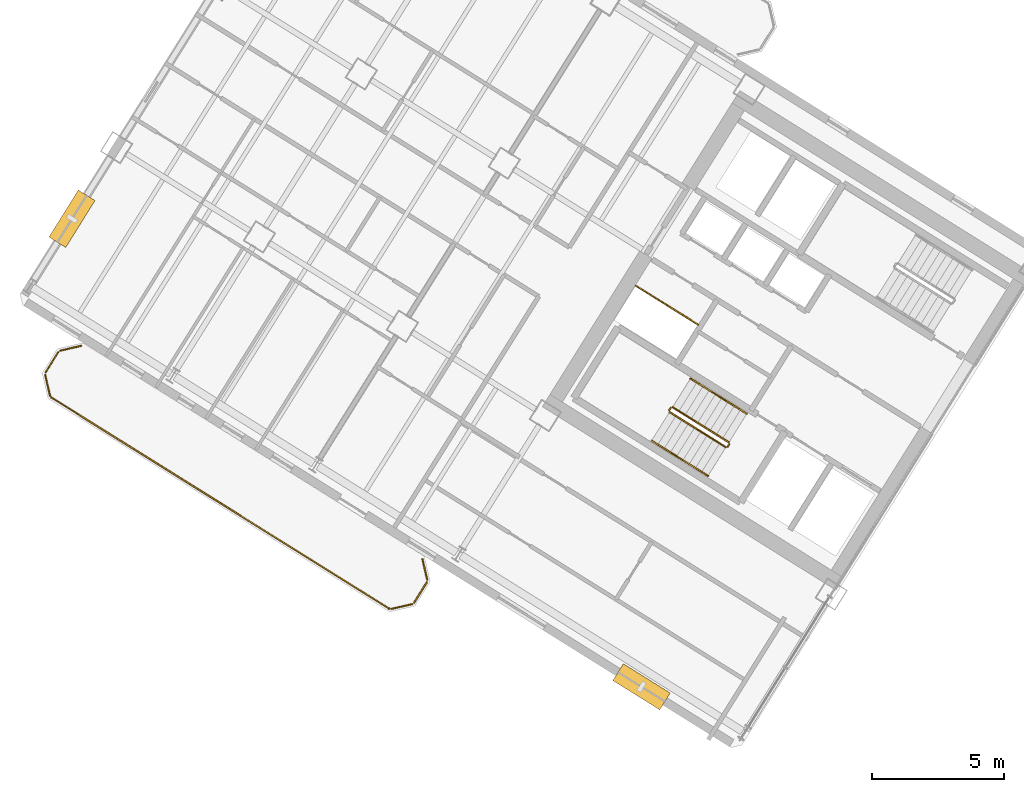
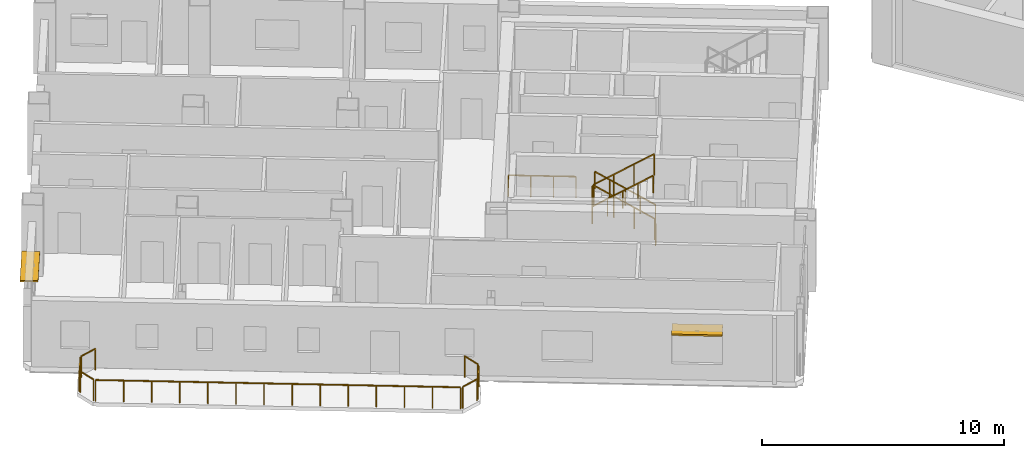
# One storey, part 16 of 19: 16 railings, 2 shading devices.
"""IFC4 building model written with IfcOpenShell, lengths in metres."""

from ifc_helpers import new_model, si_unit, direction, frame, origin, origin_2d, place, context, subcontext, project, spatial, rectangle, extrude, source, transform, mapped, material, layer, layer_set, type_object, element, save


model = new_model("IFC4")

# Units and contexts
model_context = context("Model", 3, precision=1e-05, world=origin(), true_north=direction((0.0, 1.0)))
body_context = subcontext(model_context, "Body", "Model", "MODEL_VIEW")
ifc_project = project(units=[si_unit("LENGTHUNIT", "METRE"), si_unit("AREAUNIT", "SQUARE_METRE"), si_unit("VOLUMEUNIT", "CUBIC_METRE"), si_unit("PLANEANGLEUNIT", "RADIAN"), si_unit("MASSUNIT", "GRAM", prefix="KILO")], contexts=[model_context])

# Site, building, storey
site_placement = place(None, origin())
site = spatial("IfcSite", under=ifc_project, at=site_placement, CompositionType="ELEMENT")
building_placement = place(site_placement, origin())
building = spatial("IfcBuilding", under=site, at=building_placement, Name="Tlacorven Tower", CompositionType="ELEMENT")
storey_placement = place(building_placement, frame((0.0, 0.0, 147.89990234375)))
storey = spatial("IfcBuildingStorey", under=building, at=storey_placement, Name="L37", CompositionType="ELEMENT", Elevation=147.89990234375)

# Railings
ifc_material_1 = material(Name="Aluminium and painted steel balustrade", Category="steel")
railing_type_1 = type_object("IfcRailingType", Name="RL-GRD-1100", PredefinedType="GUARDRAIL", material=ifc_material_1)
shared_shape_1 = source(origin(), body_context, "Body", "SweptSolid", [
    extrude(rectangle(XDim=0.048095703125, YDim=0.048095703125, at=origin_2d()), frame((0.0, 0.0, 1.076171875), z_axis=(-0.848091358275, 0.529850024081, 0.0), x_axis=(-0.529850024081, -0.848091358275, 0.0)), (0.0, 0.0, 1.0), 2.800048828125),
    extrude(rectangle(XDim=0.0419921875, YDim=0.0419921875, at=origin_2d()), origin(), (0.0, 0.0, 1.0), 1.052001953125),
    extrude(rectangle(XDim=0.0419921875, YDim=0.0419921875, at=origin_2d()), frame((-0.79150390625, 0.49462890625, 0.0)), (0.0, 0.0, 1.0), 1.052001953125),
    extrude(rectangle(XDim=0.0419921875, YDim=0.0419921875, at=origin_2d()), frame((-1.583251953125, 0.989013671875, 0.0)), (0.0, 0.0, 1.0), 1.052001953125),
    extrude(rectangle(XDim=0.0419921875, YDim=0.0419921875, at=origin_2d()), frame((-2.374755859375, 1.483642578125, 0.0)), (0.0, 0.0, 1.0), 1.052001953125),
])
railing_1_placement = place(storey_placement, frame((27.9912109375, 22.32080078125, 0.0)))
element("IfcRailing", 1, at=railing_1_placement, inside=storey, type_object=railing_type_1, Name="L37 Electrical Riser W Shaft Guard 1", PredefinedType="GUARDRAIL", context=body_context, shape_type="MappedRepresentation", body=[
    mapped(shared_shape_1, transform((0.0, 0.0, 0.0), scale=1.0)),
])
railing_type_2 = type_object("IfcRailingType", Name="RL-BAL-1100", PredefinedType="BALUSTRADE", material=ifc_material_1)
shared_shape_2 = source(origin(), body_context, "Body", "SweptSolid", [
    extrude(rectangle(XDim=0.048095703125, YDim=0.048095703125, at=origin_2d()), frame((0.0, 0.0, 1.076171875), z_axis=(0.225058334816, -0.974345290916, 0.0), x_axis=(0.974345290916, 0.225058334816, 0.0)), (0.0, 0.0, 1.0), 0.80712890625),
    extrude(rectangle(XDim=0.0419921875, YDim=0.0419921875, at=origin_2d()), origin(), (0.0, 0.0, 1.0), 1.052001953125),
    extrude(rectangle(XDim=0.0419921875, YDim=0.0419921875, at=origin_2d()), frame((0.181640625, -0.786376953125, 0.0)), (0.0, 0.0, 1.0), 1.052001953125),
])
railing_2_placement = place(storey_placement, frame((17.5244140625, 13.413330078125, 0.0)))
element("IfcRailing", 2, at=railing_2_placement, inside=storey, type_object=railing_type_2, Name="BAL-L37-W-OUT Guard Railing 1", PredefinedType="BALUSTRADE", context=body_context, shape_type="MappedRepresentation", body=[
    mapped(shared_shape_2, transform((0.0, 0.0, 0.0), scale=1.0)),
])
shared_shape_3 = source(origin(), body_context, "Body", "SweptSolid", [
    extrude(rectangle(XDim=0.048095703125, YDim=0.048095703125, at=origin_2d()), frame((0.0, 0.0, 1.076171875), z_axis=(-0.52987865805, -0.848073468364, 0.0), x_axis=(0.848073468364, -0.52987865805, 0.0)), (0.0, 0.0, 1.0), 0.912353515625),
    extrude(rectangle(XDim=0.0419921875, YDim=0.0419921875, at=origin_2d()), origin(), (0.0, 0.0, 1.0), 1.052001953125),
    extrude(rectangle(XDim=0.0419921875, YDim=0.0419921875, at=origin_2d()), frame((-0.4833984375, -0.773681640625, 0.0)), (0.0, 0.0, 1.0), 1.052001953125),
])
railing_3_placement = place(storey_placement, frame((17.690673828125, 12.535888671875, 0.0)))
element("IfcRailing", 3, at=railing_3_placement, inside=storey, type_object=railing_type_2, Name="BAL-L37-W-OUT Guard Railing 2", PredefinedType="BALUSTRADE", context=body_context, shape_type="MappedRepresentation", body=[
    mapped(shared_shape_3, transform((0.0, 0.0, 0.0), scale=1.0)),
])
shared_shape_4 = source(origin(), body_context, "Body", "SweptSolid", [
    extrude(rectangle(XDim=0.048095703125, YDim=0.048095703125, at=origin_2d()), frame((0.0, 0.0, 1.076171875), z_axis=(-0.974411586182, -0.224771129628, 0.0), x_axis=(0.224771129628, -0.974411586182, 0.0)), (0.0, 0.0, 1.0), 0.80712890625),
    extrude(rectangle(XDim=0.0419921875, YDim=0.0419921875, at=origin_2d()), origin(), (0.0, 0.0, 1.0), 1.052001953125),
    extrude(rectangle(XDim=0.0419921875, YDim=0.0419921875, at=origin_2d()), frame((-0.786376953125, -0.181396484375, 0.0)), (0.0, 0.0, 1.0), 1.052001953125),
])
railing_4_placement = place(storey_placement, frame((17.132080078125, 11.70849609375, 0.0)))
element("IfcRailing", 4, at=railing_4_placement, inside=storey, type_object=railing_type_2, Name="BAL-L37-W-OUT Guard Railing 3", PredefinedType="BALUSTRADE", context=body_context, shape_type="MappedRepresentation", body=[
    mapped(shared_shape_4, transform((0.0, 0.0, 0.0), scale=1.0)),
])
shared_shape_5 = source(origin(), body_context, "Body", "SweptSolid", [
    extrude(rectangle(XDim=0.048095703125, YDim=0.048095703125, at=origin_2d()), frame((0.0, 0.0, 1.076171875), z_axis=(-0.848044572804, 0.529924902733, 0.0), x_axis=(-0.529924902733, -0.848044572804, 0.0)), (0.0, 0.0, 1.0), 15.1171875),
    extrude(rectangle(XDim=0.0419921875, YDim=0.0419921875, at=origin_2d()), origin(), (0.0, 0.0, 1.0), 1.052001953125),
    extrude(rectangle(XDim=0.0419921875, YDim=0.0419921875, at=origin_2d()), frame((-0.986083984375, 0.6162109375, 0.0)), (0.0, 0.0, 1.0), 1.052001953125),
    extrude(rectangle(XDim=0.0419921875, YDim=0.0419921875, at=origin_2d()), frame((-1.972412109375, 1.232421875, 0.0)), (0.0, 0.0, 1.0), 1.052001953125),
    extrude(rectangle(XDim=0.0419921875, YDim=0.0419921875, at=origin_2d()), frame((-2.95849609375, 1.8486328125, 0.0)), (0.0, 0.0, 1.0), 1.052001953125),
    extrude(rectangle(XDim=0.0419921875, YDim=0.0419921875, at=origin_2d()), frame((-3.944580078125, 2.46484375, 0.0)), (0.0, 0.0, 1.0), 1.052001953125),
    extrude(rectangle(XDim=0.0419921875, YDim=0.0419921875, at=origin_2d()), frame((-4.930908203125, 3.0810546875, 0.0)), (0.0, 0.0, 1.0), 1.052001953125),
    extrude(rectangle(XDim=0.0419921875, YDim=0.0419921875, at=origin_2d()), frame((-5.9169921875, 3.697265625, 0.0)), (0.0, 0.0, 1.0), 1.052001953125),
    extrude(rectangle(XDim=0.0419921875, YDim=0.0419921875, at=origin_2d()), frame((-6.903076171875, 4.313720703125, 0.0)), (0.0, 0.0, 1.0), 1.052001953125),
    extrude(rectangle(XDim=0.0419921875, YDim=0.0419921875, at=origin_2d()), frame((-7.88916015625, 4.929931640625, 0.0)), (0.0, 0.0, 1.0), 1.052001953125),
    extrude(rectangle(XDim=0.0419921875, YDim=0.0419921875, at=origin_2d()), frame((-8.87548828125, 5.546142578125, 0.0)), (0.0, 0.0, 1.0), 1.052001953125),
    extrude(rectangle(XDim=0.0419921875, YDim=0.0419921875, at=origin_2d()), frame((-9.861572265625, 6.162353515625, 0.0)), (0.0, 0.0, 1.0), 1.052001953125),
    extrude(rectangle(XDim=0.0419921875, YDim=0.0419921875, at=origin_2d()), frame((-10.84765625, 6.778564453125, 0.0)), (0.0, 0.0, 1.0), 1.052001953125),
    extrude(rectangle(XDim=0.0419921875, YDim=0.0419921875, at=origin_2d()), frame((-11.833984375, 7.394775390625, 0.0)), (0.0, 0.0, 1.0), 1.052001953125),
    extrude(rectangle(XDim=0.0419921875, YDim=0.0419921875, at=origin_2d()), frame((-12.820068359375, 8.010986328125, 0.0)), (0.0, 0.0, 1.0), 1.052001953125),
])
railing_5_placement = place(storey_placement, frame((16.254638671875, 11.542236328125, 0.0)))
element("IfcRailing", 5, at=railing_5_placement, inside=storey, type_object=railing_type_2, Name="BAL-L37-W-OUT Guard Railing 4", PredefinedType="BALUSTRADE", context=body_context, shape_type="MappedRepresentation", body=[
    mapped(shared_shape_5, transform((0.0, 0.0, 0.0), scale=1.0)),
])
shared_shape_6 = source(origin(), body_context, "Body", "SweptSolid", [
    extrude(rectangle(XDim=0.048095703125, YDim=0.048095703125, at=origin_2d()), frame((0.0, 0.0, 1.076171875), z_axis=(-0.225058334816, 0.974345290916, 0.0), x_axis=(-0.974345290916, -0.225058334816, 0.0)), (0.0, 0.0, 1.0), 0.80712890625),
    extrude(rectangle(XDim=0.0419921875, YDim=0.0419921875, at=origin_2d()), origin(), (0.0, 0.0, 1.0), 1.052001953125),
    extrude(rectangle(XDim=0.0419921875, YDim=0.0419921875, at=origin_2d()), frame((-0.181640625, 0.786376953125, 0.0)), (0.0, 0.0, 1.0), 1.052001953125),
])
railing_6_placement = place(storey_placement, frame((3.380859375, 19.62841796875, 0.0)))
element("IfcRailing", 6, at=railing_6_placement, inside=storey, type_object=railing_type_2, Name="BAL-L37-W-OUT Guard Railing 5", PredefinedType="BALUSTRADE", context=body_context, shape_type="MappedRepresentation", body=[
    mapped(shared_shape_6, transform((0.0, 0.0, 0.0), scale=1.0)),
])
shared_shape_7 = source(origin(), body_context, "Body", "SweptSolid", [
    extrude(rectangle(XDim=0.048095703125, YDim=0.048095703125, at=origin_2d()), frame((0.0, 0.0, 1.076171875), z_axis=(0.52987865805, 0.848073468364, 0.0), x_axis=(-0.848073468364, 0.52987865805, 0.0)), (0.0, 0.0, 1.0), 0.912353515625),
    extrude(rectangle(XDim=0.0419921875, YDim=0.0419921875, at=origin_2d()), origin(), (0.0, 0.0, 1.0), 1.052001953125),
    extrude(rectangle(XDim=0.0419921875, YDim=0.0419921875, at=origin_2d()), frame((0.4833984375, 0.773681640625, 0.0)), (0.0, 0.0, 1.0), 1.052001953125),
])
railing_7_placement = place(storey_placement, frame((3.214599609375, 20.505859375, 0.0)))
element("IfcRailing", 7, at=railing_7_placement, inside=storey, type_object=railing_type_2, Name="BAL-L37-W-OUT Guard Railing 6", PredefinedType="BALUSTRADE", context=body_context, shape_type="MappedRepresentation", body=[
    mapped(shared_shape_7, transform((0.0, 0.0, 0.0), scale=1.0)),
])
shared_shape_8 = source(origin(), body_context, "Body", "SweptSolid", [
    extrude(rectangle(XDim=0.048095703125, YDim=0.048095703125, at=origin_2d()), frame((0.0, 0.0, 1.076171875), z_axis=(0.974345290916, 0.225058334816, 0.0), x_axis=(-0.225058334816, 0.974345290916, 0.0)), (0.0, 0.0, 1.0), 0.80712890625),
    extrude(rectangle(XDim=0.0419921875, YDim=0.0419921875, at=origin_2d()), origin(), (0.0, 0.0, 1.0), 1.052001953125),
    extrude(rectangle(XDim=0.0419921875, YDim=0.0419921875, at=origin_2d()), frame((0.786376953125, 0.181640625, 0.0)), (0.0, 0.0, 1.0), 1.052001953125),
])
railing_8_placement = place(storey_placement, frame((3.773193359375, 21.3330078125, 0.0)))
element("IfcRailing", 8, at=railing_8_placement, inside=storey, type_object=railing_type_2, Name="BAL-L37-W-OUT Guard Railing 7", PredefinedType="BALUSTRADE", context=body_context, shape_type="MappedRepresentation", body=[
    mapped(shared_shape_8, transform((0.0, 0.0, 0.0), scale=1.0)),
])

# Shading devices
ifc_material_2 = material(Name="Anodised bronze aluminium sunshade", Category="aluminium")
ifc_layer = layer(ifc_material_2, 0.080078125)
ifc_layer_set = layer_set([ifc_layer], Name="Anodised bronze aluminium sunshade")
shading_device_type = type_object("IfcShadingDeviceType", Name="SH-SUN-BRZ", PredefinedType="AWNING", material=ifc_layer_set)
shared_shape_9 = source(origin(), body_context, "Body", "SweptSolid", [
    extrude(rectangle(XDim=2.10009765625, YDim=0.75, at=origin_2d()), origin(), (0.0, 0.0, 1.0), 0.080078125),
])
for number, where, z_axis, x_axis, name in (
    (9, (25.8427734375, 8.569580078125, 2.3701171875), (0.0, 0.0, 1.0), (-0.84804812172, 0.529919223323, 0.0), "L37 Solar Brise-Soleil Sunshade L37-01.1"),
    (10, (4.219482421875, 26.341064453125, 2.3701171875), (0.0, 0.0, 1.0), (0.529918940959, 0.84804829816, 0.0), "L37 Solar Brise-Soleil Sunshade L37-02.1"),
):
    element("IfcShadingDevice", number, at=place(storey_placement, frame(where, z_axis=z_axis, x_axis=x_axis)), inside=storey, type_object=shading_device_type, Name=name, PredefinedType="AWNING", context=body_context, shape_type="MappedRepresentation", body=[
        mapped(shared_shape_9, transform((0.0, 0.0, 0.0), scale=1.0)),
    ])

# Railings
shared_shape_10 = source(origin(), body_context, "Body", "SweptSolid", [
    extrude(rectangle(XDim=0.048095703125, YDim=0.048095703125, at=origin_2d()), frame((0.0, 0.0, 1.076171875), z_axis=(-0.529084052582, -0.848569422795, 0.0), x_axis=(0.848569422795, -0.529084052582, 0.0)), (0.0, 0.0, 1.0), 0.119873046875),
    extrude(rectangle(XDim=0.0419921875, YDim=0.0419921875, at=origin_2d()), origin(), (0.0, 0.0, 1.0), 1.052001953125),
    extrude(rectangle(XDim=0.0419921875, YDim=0.0419921875, at=origin_2d()), frame((-0.0634765625, -0.101806640625, 0.0)), (0.0, 0.0, 1.0), 1.052001953125),
])
railing_9_placement = place(storey_placement, frame((29.176513671875, 17.782958984375, 0.0)))
element("IfcRailing", 11, at=railing_9_placement, inside=storey, type_object=railing_type_1, Name="L37 ST-W1 stair guard 4", PredefinedType="GUARDRAIL", context=body_context, shape_type="MappedRepresentation", body=[
    mapped(shared_shape_10, transform((0.0, 0.0, 0.0), scale=1.0)),
])
shared_shape_11 = source(origin(), body_context, "Body", "SweptSolid", [
    extrude(rectangle(XDim=0.048095703125, YDim=0.048095703125, at=origin_2d()), frame((0.0, 0.0, 1.076171875), z_axis=(-0.530546985787, -0.847655529016, 0.0), x_axis=(0.847655529016, -0.530546985787, 0.0)), (0.0, 0.0, 1.0), 0.1201171875),
    extrude(rectangle(XDim=0.0419921875, YDim=0.0419921875, at=origin_2d()), origin(), (0.0, 0.0, 1.0), 1.052001953125),
    extrude(rectangle(XDim=0.0419921875, YDim=0.0419921875, at=origin_2d()), frame((-0.063720703125, -0.101806640625, 0.0)), (0.0, 0.0, 1.0), 1.052001953125),
])
railing_10_placement = place(storey_placement, frame((26.954833984375, 19.17138671875, 1.800048828125)))
element("IfcRailing", 12, at=railing_10_placement, inside=storey, type_object=railing_type_1, Name="L37 ST-W1 stair guard 2", PredefinedType="GUARDRAIL", context=body_context, shape_type="MappedRepresentation", body=[
    mapped(shared_shape_11, transform((0.0, 0.0, 0.0), scale=1.0)),
])
shared_shape_12 = source(origin(), body_context, "Body", "SweptSolid", [
    extrude(rectangle(XDim=0.048095703125, YDim=0.048095703125, at=origin_2d()), frame((0.0, 0.0, 1.076171875), z_axis=(0.713359751793, -0.4457479829, 0.540764828981), x_axis=(0.529911857636, 0.848052724267, 0.0)), (0.0, 0.0, 1.0), 2.99609375),
    extrude(rectangle(XDim=0.0419921875, YDim=0.0419921875, at=origin_2d()), origin(), (0.0, 0.0, 1.0), 1.052001953125),
    extrude(rectangle(XDim=0.0419921875, YDim=0.0419921875, at=origin_2d()), frame((0.71240234375, -0.445068359375, 0.5400390625)), (0.0, 0.0, 1.0), 1.052001953125),
    extrude(rectangle(XDim=0.0419921875, YDim=0.0419921875, at=origin_2d()), frame((1.4248046875, -0.890380859375, 1.080078125)), (0.0, 0.0, 1.0), 1.052001953125),
    extrude(rectangle(XDim=0.0419921875, YDim=0.0419921875, at=origin_2d()), frame((2.13720703125, -1.33544921875, 1.6201171875)), (0.0, 0.0, 1.0), 1.052001953125),
])
railing_11_placement = place(storey_placement, frame((26.906982421875, 19.000732421875, 1.97998046875)))
element("IfcRailing", 13, at=railing_11_placement, inside=storey, type_object=railing_type_1, Name="L37 ST-W1 stair guard 3", PredefinedType="GUARDRAIL", context=body_context, shape_type="MappedRepresentation", body=[
    mapped(shared_shape_12, transform((0.0, 0.0, 0.0), scale=1.0)),
])
railing_type_3 = type_object("IfcRailingType", Name="RL-HND-0900", PredefinedType="HANDRAIL", material=ifc_material_1)
shared_shape_13 = source(origin(), body_context, "Body", "SweptSolid", [
    extrude(rectangle(XDim=0.048095703125, YDim=0.048095703125, at=origin_2d()), frame((0.0, 0.0, 0.8759765625), z_axis=(-0.713359751793, 0.4457479829, 0.540764828981), x_axis=(-0.529911857636, -0.848052724267, 0.0)), (0.0, 0.0, 1.0), 1.498046875),
    extrude(rectangle(XDim=0.0419921875, YDim=0.0419921875, at=origin_2d()), origin(), (0.0, 0.0, 1.0), 0.851806640625),
    extrude(rectangle(XDim=0.0419921875, YDim=0.0419921875, at=origin_2d()), frame((-0.5341796875, 0.333984375, 0.405029296875)), (0.0, 0.0, 1.0), 0.851806640625),
    extrude(rectangle(XDim=0.0419921875, YDim=0.0419921875, at=origin_2d()), frame((-1.068603515625, 0.667724609375, 0.81005859375)), (0.0, 0.0, 1.0), 0.851806640625),
])
railing_12_placement = place(storey_placement, frame((28.7705078125, 19.60498046875, 0.989990234375)))
element("IfcRailing", 14, at=railing_12_placement, inside=storey, type_object=railing_type_3, Name="L37 ST-W1 stair handrail 2", PredefinedType="HANDRAIL", context=body_context, shape_type="MappedRepresentation", body=[
    mapped(shared_shape_13, transform((0.0, 0.0, 0.0), scale=1.0)),
])
shared_shape_14 = source(origin(), body_context, "Body", "SweptSolid", [
    extrude(rectangle(XDim=0.048095703125, YDim=0.048095703125, at=origin_2d()), frame((0.0, 0.0, 0.8759765625), z_axis=(0.713359751793, -0.4457479829, 0.540764828981), x_axis=(0.529911857636, 0.848052724267, 0.0)), (0.0, 0.0, 1.0), 1.498046875),
    extrude(rectangle(XDim=0.0419921875, YDim=0.0419921875, at=origin_2d()), origin(), (0.0, 0.0, 1.0), 0.851806640625),
    extrude(rectangle(XDim=0.0419921875, YDim=0.0419921875, at=origin_2d()), frame((0.5341796875, -0.333984375, 0.405029296875)), (0.0, 0.0, 1.0), 0.851806640625),
    extrude(rectangle(XDim=0.0419921875, YDim=0.0419921875, at=origin_2d()), frame((1.068603515625, -0.667724609375, 0.81005859375)), (0.0, 0.0, 1.0), 0.851806640625),
])
railing_13_placement = place(storey_placement, frame((26.228759765625, 17.915283203125, 1.97998046875)))
element("IfcRailing", 15, at=railing_13_placement, inside=storey, type_object=railing_type_3, Name="L37 ST-W1 stair handrail 3", PredefinedType="HANDRAIL", context=body_context, shape_type="MappedRepresentation", body=[
    mapped(shared_shape_14, transform((0.0, 0.0, 0.0), scale=1.0)),
])
shared_shape_15 = source(origin(), body_context, "Body", "SweptSolid", [
    extrude(rectangle(XDim=0.048095703125, YDim=0.048095703125, at=origin_2d()), frame((0.0, 0.0, 0.8759765625), z_axis=(0.713279695859, -0.445799809912, 0.540827703579), x_axis=(0.529998940003, 0.847998304005, 0.0)), (0.0, 0.0, 1.0), 1.497802734375),
    extrude(rectangle(XDim=0.0419921875, YDim=0.0419921875, at=origin_2d()), origin(), (0.0, 0.0, 1.0), 0.851806640625),
    extrude(rectangle(XDim=0.0419921875, YDim=0.0419921875, at=origin_2d()), frame((0.5341796875, -0.333984375, 0.405029296875)), (0.0, 0.0, 1.0), 0.851806640625),
    extrude(rectangle(XDim=0.0419921875, YDim=0.0419921875, at=origin_2d()), frame((1.068359375, -0.667724609375, 0.81005859375)), (0.0, 0.0, 1.0), 0.851806640625),
])
railing_14_placement = place(storey_placement, frame((27.29736328125, 17.24755859375, 2.7900390625)))
element("IfcRailing", 16, at=railing_14_placement, inside=storey, type_object=railing_type_3, Name="L37 ST-W1 stair handrail 4", PredefinedType="HANDRAIL", context=body_context, shape_type="MappedRepresentation", body=[
    mapped(shared_shape_15, transform((0.0, 0.0, 0.0), scale=1.0)),
])
shared_shape_16 = source(origin(), body_context, "Body", "SweptSolid", [
    extrude(rectangle(XDim=0.048095703125, YDim=0.048095703125, at=origin_2d()), frame((0.0, 0.0, 1.076171875), z_axis=(-0.713351164325, 0.445793541512, 0.540738601085), x_axis=(-0.529955395941, -0.84802551749, 0.0)), (0.0, 0.0, 1.0), 2.99560546875),
    extrude(rectangle(XDim=0.0419921875, YDim=0.0419921875, at=origin_2d()), origin(), (0.0, 0.0, 1.0), 1.052001953125),
    extrude(rectangle(XDim=0.0419921875, YDim=0.0419921875, at=origin_2d()), frame((-0.71240234375, 0.445068359375, 0.5400390625)), (0.0, 0.0, 1.0), 1.052001953125),
    extrude(rectangle(XDim=0.0419921875, YDim=0.0419921875, at=origin_2d()), frame((-1.424560546875, 0.890380859375, 1.079833984375)), (0.0, 0.0, 1.0), 1.052001953125),
    extrude(rectangle(XDim=0.0419921875, YDim=0.0419921875, at=origin_2d()), frame((-2.136962890625, 1.33544921875, 1.619873046875)), (0.0, 0.0, 1.0), 1.052001953125),
])
railing_15_placement = place(storey_placement, frame((29.16064453125, 17.851806640625, 0.18017578125)))
element("IfcRailing", 17, at=railing_15_placement, inside=storey, type_object=railing_type_1, Name="L37 ST-W1 stair guard 1", PredefinedType="GUARDRAIL", context=body_context, shape_type="MappedRepresentation", body=[
    mapped(shared_shape_16, transform((0.0, 0.0, 0.0), scale=1.0)),
])
shared_shape_17 = source(origin(), body_context, "Body", "SweptSolid", [
    extrude(rectangle(XDim=0.048095703125, YDim=0.048095703125, at=origin_2d()), frame((0.0, 0.0, 0.8759765625), z_axis=(-0.713422621445, 0.445787267455, 0.540649494022), x_axis=(-0.529911857636, -0.848052724267, 0.0)), (0.0, 0.0, 1.0), 1.497802734375),
    extrude(rectangle(XDim=0.0419921875, YDim=0.0419921875, at=origin_2d()), origin(), (0.0, 0.0, 1.0), 0.851806640625),
    extrude(rectangle(XDim=0.0419921875, YDim=0.0419921875, at=origin_2d()), frame((-0.5341796875, 0.333984375, 0.40478515625)), (0.0, 0.0, 1.0), 0.851806640625),
    extrude(rectangle(XDim=0.0419921875, YDim=0.0419921875, at=origin_2d()), frame((-1.068603515625, 0.667724609375, 0.809814453125)), (0.0, 0.0, 1.0), 0.851806640625),
])
railing_16_placement = place(storey_placement, frame((29.839111328125, 18.937255859375, 0.18017578125)))
element("IfcRailing", 18, at=railing_16_placement, inside=storey, type_object=railing_type_3, Name="L37 ST-W1 stair handrail 1", PredefinedType="HANDRAIL", context=body_context, shape_type="MappedRepresentation", body=[
    mapped(shared_shape_17, transform((0.0, 0.0, 0.0), scale=1.0)),
])

save(model, "model.ifc")
